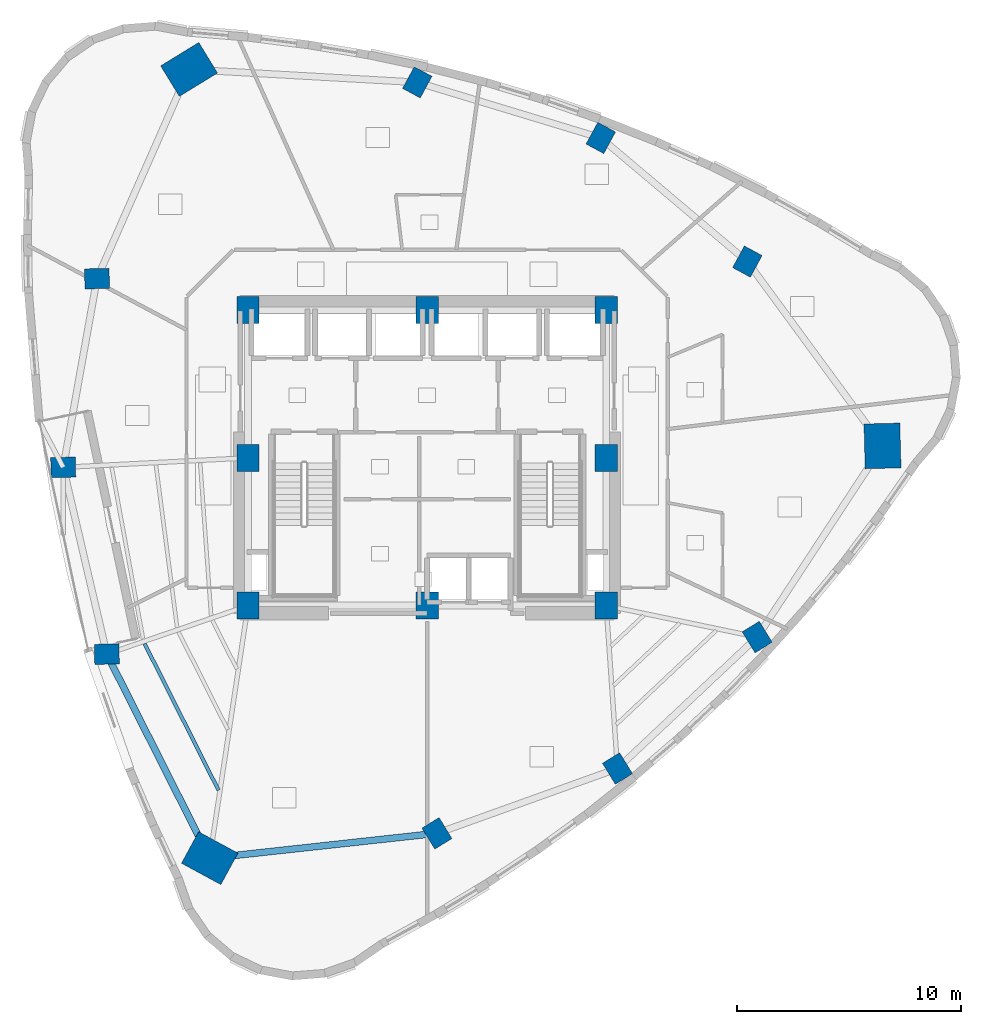
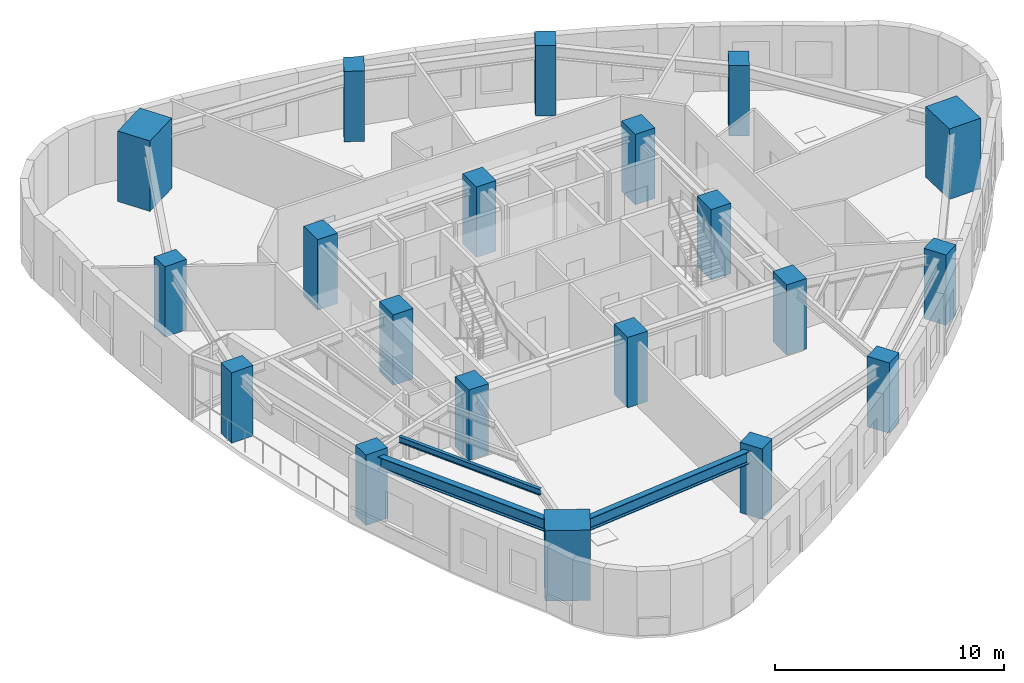
# One storey, part 1 of 12: 20 columns, 3 beams.
"""IFC4 building model written with IfcOpenShell, lengths in metres."""

from ifc_helpers import new_model, si_unit, direction, frame, origin, origin_2d, place, context, subcontext, project, spatial, rectangle, i_section, extrude, material, material_profile, profile_set, type_object, element, save


model = new_model("IFC4")

# Units and contexts
model_context = context("Model", 3, precision=1e-05, world=origin(), true_north=direction((0.0, 1.0)))
body_context = subcontext(model_context, "Body", "Model", "MODEL_VIEW")
ifc_project = project(units=[si_unit("LENGTHUNIT", "METRE"), si_unit("AREAUNIT", "SQUARE_METRE"), si_unit("VOLUMEUNIT", "CUBIC_METRE"), si_unit("PLANEANGLEUNIT", "RADIAN"), si_unit("MASSUNIT", "GRAM", prefix="KILO")], contexts=[model_context])

# Site, building, storey
site_placement = place(None, origin())
site = spatial("IfcSite", under=ifc_project, at=site_placement, CompositionType="ELEMENT")
building_placement = place(site_placement, origin())
building = spatial("IfcBuilding", under=site, at=building_placement, Name="Ndelora Gate Hotel", CompositionType="ELEMENT")
storey_placement = place(building_placement, frame((0.0, 0.0, 164.75)))
storey = spatial("IfcBuildingStorey", under=building, at=storey_placement, Name="L41", CompositionType="ELEMENT", Elevation=164.75)

# Columns
ifc_material_1 = material(Name="Concrete C60/75", Category="concrete")
ifc_material_profile_1 = material_profile(ifc_material_1, rectangle(XDim=1.0, YDim=1.199951171875, at=origin_2d()), Name="RC 1200x1000")
ifc_profile_set_1 = profile_set([ifc_material_profile_1], Name="Concrete C60/75")
column_type_1 = type_object("IfcColumnType", Name="COL-CC-MID", PredefinedType="COLUMN", material=ifc_profile_set_1)
for number, where, z_axis, x_axis, name in (
    (1, (-8.0, -6.60009765625, 0.0), (0.0, 0.0, 1.0), (1.0, 0.0, 0.0), "L41 Core Column CC1"),
    (2, (0.0, -6.60009765625, 0.0), (0.0, 0.0, 1.0), (1.0, 0.0, 0.0), "L41 Core Column CC2"),
    (3, (8.0, -6.60009765625, 0.0), (0.0, 0.0, 1.0), (1.0, 0.0, 0.0), "L41 Core Column CC3"),
    (4, (8.0, 0.0, 0.0), (0.0, 0.0, 1.0), (1.0, 0.0, 0.0), "L41 Core Column CC4"),
    (5, (8.0, 6.60009765625, 0.0), (0.0, 0.0, 1.0), (1.0, 0.0, 0.0), "L41 Core Column CC5"),
    (6, (0.0, 6.60009765625, 0.0), (0.0, 0.0, 1.0), (1.0, 0.0, 0.0), "L41 Core Column CC6"),
    (7, (-8.0, 6.60009765625, 0.0), (0.0, 0.0, 1.0), (1.0, 0.0, 0.0), "L41 Core Column CC7"),
    (8, (-8.0, 0.0, 0.0), (0.0, 0.0, 1.0), (1.0, 0.0, 0.0), "L41 Core Column CC8"),
):
    element("IfcColumn", number, at=place(storey_placement, frame(where, z_axis=z_axis, x_axis=x_axis)), inside=storey, type_object=column_type_1, Name=name, PredefinedType="COLUMN", context=body_context, shape_type="SweptSolid", body=[
        extrude(rectangle(XDim=1.0, YDim=1.199951171875, at=origin_2d()), origin(), (0.0, 0.0, 1.0), 3.75),
    ])
ifc_material_profile_2 = material_profile(ifc_material_1, rectangle(XDim=1.60009765625, YDim=2.0, at=origin_2d()), Name="RC 2000x1600")
ifc_profile_set_2 = profile_set([ifc_material_profile_2], Name="Concrete C60/75")
column_type_2 = type_object("IfcColumnType", Name="COL-MC-Z2", PredefinedType="COLUMN", material=ifc_profile_set_2)
for number, where, z_axis, x_axis, name in (
    (9, (-10.63330078125, 17.351806640625, 0.0), (0.0, 0.0, 1.0), (-0.522498564716, 0.852640164354, 0.0), "L41 Corner Mega-Column R1"),
    (10, (-9.71044921875, -17.884521484375, 0.0), (0.0, 0.0, 1.0), (0.47715876026, 0.878817112662, 0.0), "L41 Corner Mega-Column R5"),
    (11, (20.34375, 0.53271484375, 0.0), (0.0, 0.0, 1.0), (0.999657324976, 0.026176948308, 0.0), "L41 Corner Mega-Column R9"),
):
    element("IfcColumn", number, at=place(storey_placement, frame(where, z_axis=z_axis, x_axis=x_axis)), inside=storey, type_object=column_type_2, Name=name, PredefinedType="COLUMN", context=body_context, shape_type="SweptSolid", body=[
        extrude(rectangle(XDim=1.60009765625, YDim=2.0, at=origin_2d()), origin(), (0.0, 0.0, 1.0), 3.75),
    ])
ifc_material_profile_3 = material_profile(ifc_material_1, rectangle(XDim=0.89990234375, YDim=1.10009765625, at=origin_2d()), Name="RC 1100x900")
ifc_profile_set_3 = profile_set([ifc_material_profile_3], Name="Concrete C60/75")
column_type_3 = type_object("IfcColumnType", Name="COL-PT-Z2", PredefinedType="COLUMN", material=ifc_profile_set_3)
for number, where, z_axis, x_axis, name in (
    (12, (-14.74658203125, 8.006591796875, 0.0), (0.0, 0.0, 1.0), (-0.026176948308, 0.999657324976, 0.0), "L41 Perimeter Tube Column R2"),
    (13, (-16.25537109375, -0.42578125, 0.0), (0.0, 0.0, 1.0), (-0.026176948308, 0.999657324976, 0.0), "L41 Perimeter Tube Column R3"),
    (14, (-14.307373046875, -8.767578125, 0.0), (0.0, 0.0, 1.0), (-0.026176948308, 0.999657324976, 0.0), "L41 Perimeter Tube Column R4"),
    (15, (0.439208984375, -16.7744140625, 0.0), (0.0, 0.0, 1.0), (0.852640164354, 0.522498564716, 0.0), "L41 Perimeter Tube Column R6"),
    (16, (8.50439453125, -13.878173828125, 0.0), (0.0, 0.0, 1.0), (0.852640164354, 0.522498564716, 0.0), "L41 Perimeter Tube Column R7"),
    (17, (14.74658203125, -8.006591796875, 0.0), (0.0, 0.0, 1.0), (0.852640164354, 0.522498564716, 0.0), "L41 Perimeter Tube Column R8"),
    (18, (14.30712890625, 8.767333984375, 0.0), (0.0, 0.0, 1.0), (-0.878817112662, 0.47715876026, 0.0), "L41 Perimeter Tube Column R10"),
    (19, (7.759033203125, 14.290283203125, 0.0), (0.0, 0.0, 1.0), (-0.878817112662, 0.47715876026, 0.0), "L41 Perimeter Tube Column R11"),
    (20, (-0.439208984375, 16.7744140625, 0.0), (0.0, 0.0, 1.0), (-0.878817112662, 0.47715876026, 0.0), "L41 Perimeter Tube Column R12"),
):
    element("IfcColumn", number, at=place(storey_placement, frame(where, z_axis=z_axis, x_axis=x_axis)), inside=storey, type_object=column_type_3, Name=name, PredefinedType="COLUMN", context=body_context, shape_type="SweptSolid", body=[
        extrude(rectangle(XDim=0.89990234375, YDim=1.10009765625, at=origin_2d()), origin(), (0.0, 0.0, 1.0), 3.75),
    ])

# Beams
ifc_material_2 = material(Name="Steel S355", Category="steel")
ifc_material_profile_4 = material_profile(ifc_material_2, i_section(OverallWidth=0.159912109375, OverallDepth=0.330078125, WebThickness=0.007568359375, FlangeThickness=0.011474609375, FilletRadius=0.01806640625, at=origin_2d()), Name="IPE 330")
ifc_profile_set_4 = profile_set([ifc_material_profile_4], Name="Steel S355")
beam_type_1 = type_object("IfcBeamType", Name="BM-JST-330", PredefinedType="JOIST", material=ifc_profile_set_4)
beam_placement = place(storey_placement, frame((-12.617919921875, -8.30224609375, 3.27490234375), z_axis=(0.45023300903, -0.892911102843, 0.0), x_axis=(0.892911102843, 0.45023300903, 0.0)))
element("IfcBeam", 21, at=beam_placement, inside=storey, type_object=beam_type_1, Name="L41 Secondary Composite Floor Joist OUT-4", PredefinedType="JOIST", context=body_context, shape_type="SweptSolid", body=[
    extrude(i_section(OverallWidth=0.159912109375, OverallDepth=0.330078125, WebThickness=0.007568359375, FlangeThickness=0.011474609375, FilletRadius=0.01806640625, at=origin_2d()), origin(), (0.0, 0.0, 1.0), 7.335693359375),
])
ifc_material_profile_5 = material_profile(ifc_material_2, i_section(OverallWidth=0.300048828125, OverallDepth=0.64990234375, WebThickness=0.01611328125, FlangeThickness=0.031005859375, FilletRadius=0.027099609375, at=origin_2d()), Name="HEB 650")
ifc_profile_set_5 = profile_set([ifc_material_profile_5], Name="Steel S355")
beam_type_2 = type_object("IfcBeamType", Name="BM-RING-650", PredefinedType="SPANDREL", material=ifc_profile_set_5)
for number, where, z_axis, x_axis, name in (
    (22, (-14.307373046875, -8.767578125, 3.114990234375), (0.450223868811, -0.892915711561, 0.0), (0.892915711561, 0.450223868811, 0.0), "L41 Perimeter Spandrel Girder 4"),
    (23, (-9.71044921875, -17.884521484375, 3.114990234375), (0.994071812898, 0.108725483685, 0.0), (-0.108725483685, 0.994071812898, 0.0), "L41 Perimeter Spandrel Girder 5"),
):
    element("IfcBeam", number, at=place(storey_placement, frame(where, z_axis=z_axis, x_axis=x_axis)), inside=storey, type_object=beam_type_2, Name=name, PredefinedType="SPANDREL", context=body_context, shape_type="SweptSolid", body=[
        extrude(i_section(OverallWidth=0.300048828125, OverallDepth=0.64990234375, WebThickness=0.01611328125, FlangeThickness=0.031005859375, FilletRadius=0.027099609375, at=origin_2d()), origin(), (0.0, 0.0, 1.0), 10.210205078125),
    ])

save(model, "model.ifc")
